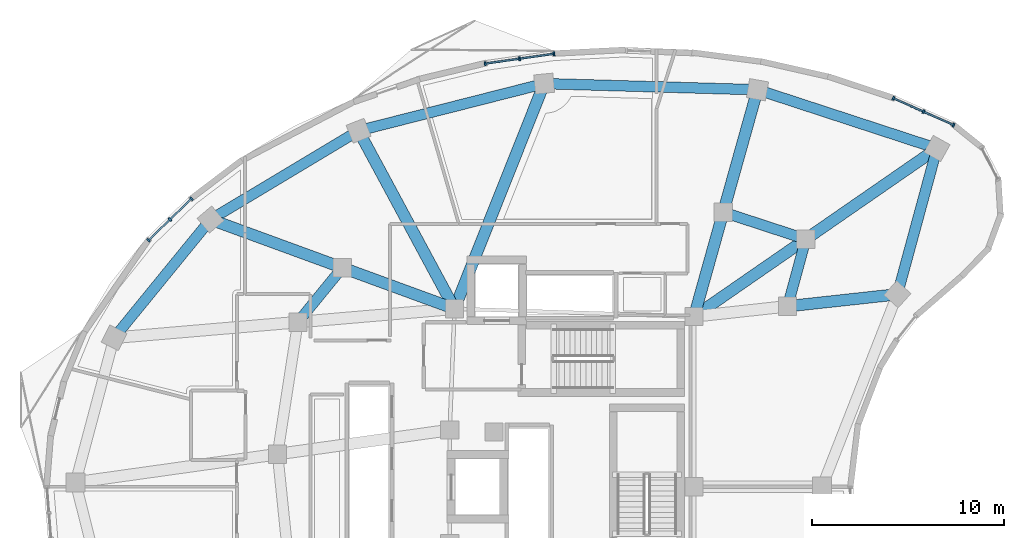
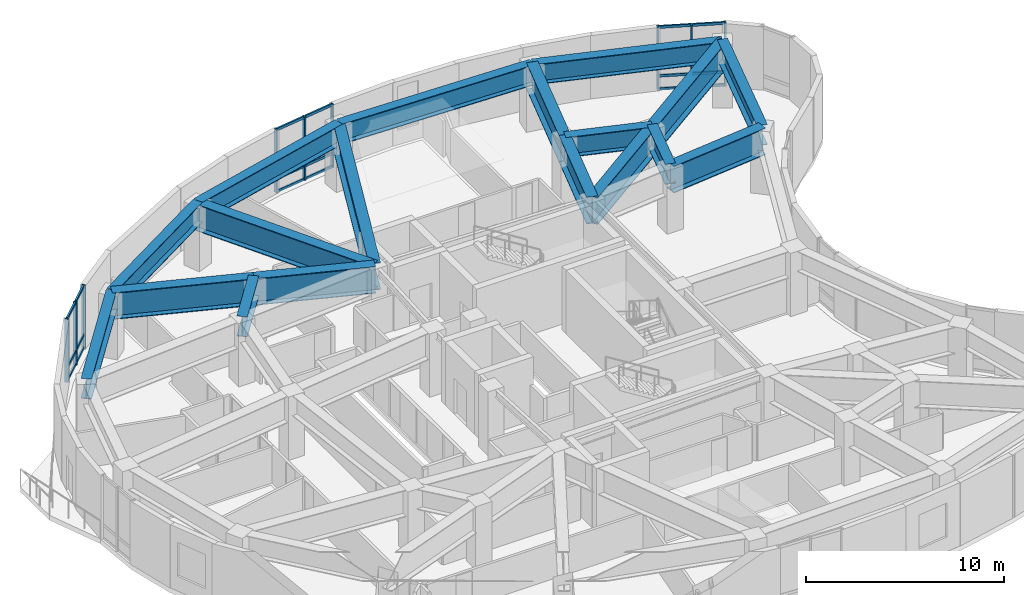
# One storey, part 5 of 14: 27 members, 18 beams, 3 elements without a shape of their own.
"""IFC4 building model written with IfcOpenShell, lengths in metres."""

from ifc_helpers import new_model, si_unit, direction, frame, origin, origin_2d, place, context, subcontext, project, spatial, rectangle, i_section, extrude, material, layer, layer_set, material_profile, profile_set, type_object, element, aggregate, save


model = new_model("IFC4")

# Units and contexts
model_context = context("Model", 3, precision=1e-05, world=origin(), true_north=direction((0.0, 1.0)))
body_context = subcontext(model_context, "Body", "Model", "MODEL_VIEW")
ifc_project = project(units=[si_unit("LENGTHUNIT", "METRE"), si_unit("AREAUNIT", "SQUARE_METRE"), si_unit("VOLUMEUNIT", "CUBIC_METRE"), si_unit("PLANEANGLEUNIT", "RADIAN"), si_unit("MASSUNIT", "GRAM", prefix="KILO")], contexts=[model_context])

# Site, building, storey
site_placement = place(None, origin())
site = spatial("IfcSite", under=ifc_project, at=site_placement, CompositionType="ELEMENT")
building_placement = place(site_placement, origin())
building = spatial("IfcBuilding", under=site, at=building_placement, Name="Korentha Bioscience Tower", CompositionType="ELEMENT")
storey_placement = place(building_placement, frame((0.0, 0.0, 239.39990234375)))
storey = spatial("IfcBuildingStorey", under=building, at=storey_placement, Name="L55", CompositionType="ELEMENT", Elevation=239.39990234375)

# Beams
ifc_material_1 = material(Name="Steel S355", Category="steel")
ifc_material_profile_1 = material_profile(ifc_material_1, i_section(OverallWidth=0.550048828125, OverallDepth=1.25, WebThickness=0.02392578125, FlangeThickness=0.0400390625, at=origin_2d()), Name="Steel S355")
ifc_profile_set_1 = profile_set([ifc_material_profile_1], Name="Steel S355 (TG-03)")
beam_type_1 = type_object("IfcBeamType", Name="Crown Step Transfer Girder CVS 1250x510", PredefinedType="USERDEFINED", material=ifc_profile_set_1)
beam_1_placement = place(storey_placement, frame((43.357666015625, 39.8662109375, 3.275146484375), z_axis=(-0.950447398506, 0.310885417274, 0.0), x_axis=(-0.310885417274, -0.950447398506, 0.0)))
element("IfcBeam", 1, at=beam_1_placement, inside=storey, type_object=beam_type_1, Name="L55 Mid-Ring Tie Girder 01", ObjectType="TRANSFER_GIRDER", PredefinedType="USERDEFINED", context=body_context, shape_type="SweptSolid", body=[
    extrude(i_section(OverallWidth=0.550048828125, OverallDepth=1.25, WebThickness=0.02392578125, FlangeThickness=0.0400390625, at=origin_2d()), origin(), (0.0, 0.0, 1.0), 4.5146484375),
])
beam_2_placement = place(storey_placement, frame((19.268310546875, 38.3837890625, 3.275146484375), z_axis=(-0.632275728894, -0.774743443116, 0.0), x_axis=(0.774743443116, -0.632275728894, 0.0)))
element("IfcBeam", 2, at=beam_2_placement, inside=storey, type_object=beam_type_1, Name="L55 Mid-Ring Tie Girder 05", ObjectType="TRANSFER_GIRDER", PredefinedType="USERDEFINED", context=body_context, shape_type="SweptSolid", body=[
    extrude(i_section(OverallWidth=0.550048828125, OverallDepth=1.25, WebThickness=0.02392578125, FlangeThickness=0.0400390625, at=origin_2d()), origin(), (0.0, 0.0, 1.0), 3.650146484375),
])
beam_3_placement = place(storey_placement, frame((42.41064453125, 36.379638671875, 3.275146484375), z_axis=(0.262122358011, 0.965034646752, 0.0), x_axis=(-0.965034646752, 0.262122358011, 0.0)))
element("IfcBeam", 3, at=beam_3_placement, inside=storey, type_object=beam_type_1, Name="L55 Mid-Ring Tie Girder 16", ObjectType="TRANSFER_GIRDER", PredefinedType="USERDEFINED", context=body_context, shape_type="SweptSolid", body=[
    extrude(i_section(OverallWidth=0.550048828125, OverallDepth=1.25, WebThickness=0.02392578125, FlangeThickness=0.0400390625, at=origin_2d()), origin(), (0.0, 0.0, 1.0), 3.61279296875),
])
beam_4_placement = place(storey_placement, frame((50.175537109375, 44.580810546875, 3.275146484375), z_axis=(-0.950449256032, 0.310879738338, 0.0), x_axis=(-0.310879738338, -0.950449256032, 0.0)))
element("IfcBeam", 4, at=beam_4_placement, inside=storey, type_object=beam_type_1, Name="L55 Perimeter Spandrel Girder 01", ObjectType="TRANSFER_GIRDER", PredefinedType="USERDEFINED", context=body_context, shape_type="SweptSolid", body=[
    extrude(i_section(OverallWidth=0.550048828125, OverallDepth=1.25, WebThickness=0.02392578125, FlangeThickness=0.0400390625, at=origin_2d()), origin(), (0.0, 0.0, 1.0), 9.81494140625),
])
beam_5_placement = place(storey_placement, frame((40.846923828125, 47.632080078125, 3.275146484375), z_axis=(-0.999586140554, 0.028767127286, 0.0), x_axis=(-0.028767127286, -0.999586140554, 0.0)))
element("IfcBeam", 5, at=beam_5_placement, inside=storey, type_object=beam_type_1, Name="L55 Perimeter Spandrel Girder 02", ObjectType="TRANSFER_GIRDER", PredefinedType="USERDEFINED", context=body_context, shape_type="SweptSolid", body=[
    extrude(i_section(OverallWidth=0.550048828125, OverallDepth=1.25, WebThickness=0.02392578125, FlangeThickness=0.0400390625, at=origin_2d()), origin(), (0.0, 0.0, 1.0), 11.09228515625),
])
beam_6_placement = place(storey_placement, frame((29.75927734375, 47.951171875, 3.275146484375), z_axis=(-0.969197317616, -0.246285524395, 0.0), x_axis=(0.246285524395, -0.969197317616, 0.0)))
element("IfcBeam", 6, at=beam_6_placement, inside=storey, type_object=beam_type_1, Name="L55 Perimeter Spandrel Girder 03", ObjectType="TRANSFER_GIRDER", PredefinedType="USERDEFINED", context=body_context, shape_type="SweptSolid", body=[
    extrude(i_section(OverallWidth=0.550048828125, OverallDepth=1.25, WebThickness=0.02392578125, FlangeThickness=0.0400390625, at=origin_2d()), origin(), (0.0, 0.0, 1.0), 9.95263671875),
])
beam_7_placement = place(storey_placement, frame((20.11328125, 45.5, 3.275146484375), z_axis=(-0.857644232791, -0.514243492872, 0.0), x_axis=(0.514243492872, -0.857644232791, 0.0)))
element("IfcBeam", 7, at=beam_7_placement, inside=storey, type_object=beam_type_1, Name="L55 Perimeter Spandrel Girder 04", ObjectType="TRANSFER_GIRDER", PredefinedType="USERDEFINED", context=body_context, shape_type="SweptSolid", body=[
    extrude(i_section(OverallWidth=0.550048828125, OverallDepth=1.25, WebThickness=0.02392578125, FlangeThickness=0.0400390625, at=origin_2d()), origin(), (0.0, 0.0, 1.0), 8.96728515625),
])
beam_8_placement = place(storey_placement, frame((12.422607421875, 40.888671875, 3.275146484375), z_axis=(-0.632315820697, -0.774710722074, 0.0), x_axis=(0.774710722074, -0.632315820697, 0.0)))
element("IfcBeam", 8, at=beam_8_placement, inside=storey, type_object=beam_type_1, Name="L55 Perimeter Spandrel Girder 05", ObjectType="TRANSFER_GIRDER", PredefinedType="USERDEFINED", context=body_context, shape_type="SweptSolid", body=[
    extrude(i_section(OverallWidth=0.550048828125, OverallDepth=1.25, WebThickness=0.02392578125, FlangeThickness=0.0400390625, at=origin_2d()), origin(), (0.0, 0.0, 1.0), 7.934814453125),
])
beam_9_placement = place(storey_placement, frame((48.116455078125, 37.001220703125, 3.275146484375), z_axis=(0.26215989838, 0.965024449266, 0.0), x_axis=(-0.965024449266, 0.26215989838, 0.0)))
element("IfcBeam", 9, at=beam_9_placement, inside=storey, type_object=beam_type_1, Name="L55 Perimeter Spandrel Girder 16", ObjectType="TRANSFER_GIRDER", PredefinedType="USERDEFINED", context=body_context, shape_type="SweptSolid", body=[
    extrude(i_section(OverallWidth=0.550048828125, OverallDepth=1.25, WebThickness=0.02392578125, FlangeThickness=0.0400390625, at=origin_2d()), origin(), (0.0, 0.0, 1.0), 7.854248046875),
])
ifc_material_profile_2 = material_profile(ifc_material_1, i_section(OverallWidth=0.60009765625, OverallDepth=1.64990234375, WebThickness=0.02587890625, FlangeThickness=0.0439453125, at=origin_2d()), Name="Steel S355")
ifc_profile_set_2 = profile_set([ifc_material_profile_2], Name="Steel S355 (TG-04)")
beam_type_2 = type_object("IfcBeamType", Name="Deep Setback Transfer Girder CVS 1650x620", PredefinedType="USERDEFINED", material=ifc_profile_set_2)
beam_10_placement = place(storey_placement, frame((37.550048828125, 35.85009765625, 3.0751953125), z_axis=(0.822493302413, 0.568774795052, 0.0), x_axis=(-0.568774795052, 0.822493302413, 0.0)))
element("IfcBeam", 10, at=beam_10_placement, inside=storey, type_object=beam_type_2, Name="L55 Inner Radial Transfer Girder 01", ObjectType="TRANSFER_GIRDER", PredefinedType="USERDEFINED", context=body_context, shape_type="SweptSolid", body=[
    extrude(i_section(OverallWidth=0.60009765625, OverallDepth=1.64990234375, WebThickness=0.02587890625, FlangeThickness=0.0439453125, at=origin_2d()), origin(), (0.0, 0.0, 1.0), 7.06103515625),
])
beam_11_placement = place(storey_placement, frame((43.357666015625, 39.8662109375, 3.0751953125), z_axis=(0.82250061903, 0.568764214499, 0.0), x_axis=(-0.568764214499, 0.82250061903, 0.0)))
element("IfcBeam", 11, at=beam_11_placement, inside=storey, type_object=beam_type_2, Name="L55 Outer Radial Transfer Girder 01", ObjectType="TRANSFER_GIRDER", PredefinedType="USERDEFINED", context=body_context, shape_type="SweptSolid", body=[
    extrude(i_section(OverallWidth=0.60009765625, OverallDepth=1.64990234375, WebThickness=0.02587890625, FlangeThickness=0.0439453125, at=origin_2d()), origin(), (0.0, 0.0, 1.0), 8.289306640625),
])
beam_12_placement = place(storey_placement, frame((37.550048828125, 35.85009765625, 3.0751953125), z_axis=(0.269480278508, 0.963005908339, 0.0), x_axis=(-0.963005908339, 0.269480278508, 0.0)))
element("IfcBeam", 12, at=beam_12_placement, inside=storey, type_object=beam_type_2, Name="L55 Inner Radial Transfer Girder 02", ObjectType="TRANSFER_GIRDER", PredefinedType="USERDEFINED", context=body_context, shape_type="SweptSolid", body=[
    extrude(i_section(OverallWidth=0.60009765625, OverallDepth=1.64990234375, WebThickness=0.02587890625, FlangeThickness=0.0439453125, at=origin_2d()), origin(), (0.0, 0.0, 1.0), 5.6279296875),
])
beam_13_placement = place(storey_placement, frame((39.066650390625, 41.269775390625, 3.0751953125), z_axis=(0.269465439817, 0.963010060562, 0.0), x_axis=(-0.963010060562, 0.269465439817, 0.0)))
element("IfcBeam", 13, at=beam_13_placement, inside=storey, type_object=beam_type_2, Name="L55 Outer Radial Transfer Girder 02", ObjectType="TRANSFER_GIRDER", PredefinedType="USERDEFINED", context=body_context, shape_type="SweptSolid", body=[
    extrude(i_section(OverallWidth=0.60009765625, OverallDepth=1.64990234375, WebThickness=0.02587890625, FlangeThickness=0.0439453125, at=origin_2d()), origin(), (0.0, 0.0, 1.0), 6.606689453125),
])
beam_14_placement = place(storey_placement, frame((25.10009765625, 36.25, 3.0751953125), z_axis=(0.369933042289, 0.929058418089, 0.0), x_axis=(-0.929058418089, 0.369933042289, 0.0)))
element("IfcBeam", 14, at=beam_14_placement, inside=storey, type_object=beam_type_2, Name="L55 Radial Transfer Girder 03", ObjectType="TRANSFER_GIRDER", PredefinedType="USERDEFINED", context=body_context, shape_type="SweptSolid", body=[
    extrude(i_section(OverallWidth=0.60009765625, OverallDepth=1.64990234375, WebThickness=0.02587890625, FlangeThickness=0.0439453125, at=origin_2d()), origin(), (0.0, 0.0, 1.0), 12.5947265625),
])
beam_15_placement = place(storey_placement, frame((25.10009765625, 36.25, 3.0751953125), z_axis=(-0.474545867703, 0.880230776243, 0.0), x_axis=(-0.880230776243, -0.474545867703, 0.0)))
element("IfcBeam", 15, at=beam_15_placement, inside=storey, type_object=beam_type_2, Name="L55 Radial Transfer Girder 04", ObjectType="TRANSFER_GIRDER", PredefinedType="USERDEFINED", context=body_context, shape_type="SweptSolid", body=[
    extrude(i_section(OverallWidth=0.60009765625, OverallDepth=1.64990234375, WebThickness=0.02587890625, FlangeThickness=0.0439453125, at=origin_2d()), origin(), (0.0, 0.0, 1.0), 10.508544921875),
])
beam_16_placement = place(storey_placement, frame((25.10009765625, 36.25, 3.0751953125), z_axis=(-0.939112022558, 0.343611130622, 0.0), x_axis=(-0.343611130622, -0.939112022558, 0.0)))
element("IfcBeam", 16, at=beam_16_placement, inside=storey, type_object=beam_type_2, Name="L55 Inner Radial Transfer Girder 05", ObjectType="TRANSFER_GIRDER", PredefinedType="USERDEFINED", context=body_context, shape_type="SweptSolid", body=[
    extrude(i_section(OverallWidth=0.60009765625, OverallDepth=1.64990234375, WebThickness=0.02587890625, FlangeThickness=0.0439453125, at=origin_2d()), origin(), (0.0, 0.0, 1.0), 6.2099609375),
])
beam_17_placement = place(storey_placement, frame((19.268310546875, 38.3837890625, 3.0751953125), z_axis=(-0.939107036581, 0.343624757322, 0.0), x_axis=(-0.343624757322, -0.939107036581, 0.0)))
element("IfcBeam", 17, at=beam_17_placement, inside=storey, type_object=beam_type_2, Name="L55 Outer Radial Transfer Girder 05", ObjectType="TRANSFER_GIRDER", PredefinedType="USERDEFINED", context=body_context, shape_type="SweptSolid", body=[
    extrude(i_section(OverallWidth=0.60009765625, OverallDepth=1.64990234375, WebThickness=0.02587890625, FlangeThickness=0.0439453125, at=origin_2d()), origin(), (0.0, 0.0, 1.0), 7.28955078125),
])
beam_18_placement = place(storey_placement, frame((42.41064453125, 36.379638671875, 3.0751953125), z_axis=(0.994118507308, 0.108297707398, 0.0), x_axis=(-0.108297707398, 0.994118507308, 0.0)))
element("IfcBeam", 18, at=beam_18_placement, inside=storey, type_object=beam_type_2, Name="L55 Outer Radial Transfer Girder 16", ObjectType="TRANSFER_GIRDER", PredefinedType="USERDEFINED", context=body_context, shape_type="SweptSolid", body=[
    extrude(i_section(OverallWidth=0.60009765625, OverallDepth=1.64990234375, WebThickness=0.02587890625, FlangeThickness=0.0439453125, at=origin_2d()), origin(), (0.0, 0.0, 1.0), 5.739501953125),
])

# Curtain wall, members
ifc_material_2 = material(Name="Thermally Broken Aluminium Frame", Category="aluminium")
ifc_layer = layer(ifc_material_2, 0.219970703125, Name="Thermally Broken Aluminium Frame")
ifc_layer_set = layer_set([ifc_layer], Name="Thermally Broken Aluminium Frame (CW-T1)")
curtain_wall_type = type_object("IfcCurtainWallType", Name="Standard Bioscience Lab Unitised Curtain Wall CW-T1", PredefinedType="USERDEFINED", material=ifc_layer_set)
curtain_wall_1_placement = place(storey_placement, origin())
curtain_wall_1 = element("IfcCurtainWall", 19, at=curtain_wall_1_placement, inside=storey, type_object=curtain_wall_type, Name="L55 Curtain Wall 01", ObjectType="UNITISED", PredefinedType="USERDEFINED")
ifc_material_3 = material(Name="Anodised Aluminium 6063-T6", Category="aluminium")
ifc_material_profile_3 = material_profile(ifc_material_3, rectangle(XDim=0.090087890625, YDim=0.199951171875, at=origin_2d()), Name="Anodised Aluminium 6063-T6")
ifc_profile_set_3 = profile_set([ifc_material_profile_3], Name="Anodised Aluminium 6063-T6 (CW-MUL)")
member_type_1 = type_object("IfcMemberType", Name="Mullion RECT 90x200", PredefinedType="MULLION", material=ifc_profile_set_3)
member_1_placement = place(storey_placement, frame((51.038818359375, 45.795166015625, 0.0), z_axis=(0.0, 0.0, 1.0), x_axis=(-0.913943941578, 0.405840450983, 0.0)))
member_1 = element("IfcMember", 20, at=member_1_placement, type_object=member_type_1, Name="CW-L55-01 Mullion 1", PredefinedType="MULLION", context=body_context, shape_type="SweptSolid", body=[
    extrude(rectangle(XDim=0.090087890625, YDim=0.199951171875, at=origin_2d()), origin(), (0.0, 0.0, 1.0), 3.900146484375),
])
member_2_placement = place(storey_placement, frame((49.471923828125, 46.49072265625, 0.0), z_axis=(0.0, 0.0, 1.0), x_axis=(-0.913943941578, 0.405840450983, 0.0)))
member_2 = element("IfcMember", 21, at=member_2_placement, type_object=member_type_1, Name="CW-L55-01 Mullion 2", PredefinedType="MULLION", context=body_context, shape_type="SweptSolid", body=[
    extrude(rectangle(XDim=0.090087890625, YDim=0.199951171875, at=origin_2d()), origin(), (0.0, 0.0, 1.0), 3.900146484375),
])
member_3_placement = place(storey_placement, frame((47.9052734375, 47.186279296875, 0.0), z_axis=(0.0, 0.0, 1.0), x_axis=(-0.913943941578, 0.405840450983, 0.0)))
member_3 = element("IfcMember", 22, at=member_3_placement, type_object=member_type_1, Name="CW-L55-01 Mullion 3", PredefinedType="MULLION", context=body_context, shape_type="SweptSolid", body=[
    extrude(rectangle(XDim=0.090087890625, YDim=0.199951171875, at=origin_2d()), origin(), (0.0, 0.0, 1.0), 3.900146484375),
])

curtain_wall_2_placement = place(storey_placement, origin())
curtain_wall_2 = element("IfcCurtainWall", 23, at=curtain_wall_2_placement, inside=storey, type_object=curtain_wall_type, Name="L55 Curtain Wall 07", ObjectType="UNITISED", PredefinedType="USERDEFINED")
member_4_placement = place(storey_placement, frame((30.267578125, 49.498779296875, 0.0), z_axis=(0.0, 0.0, 1.0), x_axis=(-0.989901889134, -0.141754188259, 0.0)))
member_4 = element("IfcMember", 24, at=member_4_placement, type_object=member_type_1, Name="CW-L55-07 Mullion 1", PredefinedType="MULLION", context=body_context, shape_type="SweptSolid", body=[
    extrude(rectangle(XDim=0.090087890625, YDim=0.199951171875, at=origin_2d()), origin(), (0.0, 0.0, 1.0), 3.900146484375),
])
member_5_placement = place(storey_placement, frame((28.47998046875, 49.242919921875, 0.0), z_axis=(0.0, 0.0, 1.0), x_axis=(-0.989901889134, -0.141754188259, 0.0)))
member_5 = element("IfcMember", 25, at=member_5_placement, type_object=member_type_1, Name="CW-L55-07 Mullion 2", PredefinedType="MULLION", context=body_context, shape_type="SweptSolid", body=[
    extrude(rectangle(XDim=0.090087890625, YDim=0.199951171875, at=origin_2d()), origin(), (0.0, 0.0, 1.0), 3.900146484375),
])
member_6_placement = place(storey_placement, frame((26.6923828125, 48.98681640625, 0.0), z_axis=(0.0, 0.0, 1.0), x_axis=(-0.989901889134, -0.141754188259, 0.0)))
member_6 = element("IfcMember", 26, at=member_6_placement, type_object=member_type_1, Name="CW-L55-07 Mullion 3", PredefinedType="MULLION", context=body_context, shape_type="SweptSolid", body=[
    extrude(rectangle(XDim=0.090087890625, YDim=0.199951171875, at=origin_2d()), origin(), (0.0, 0.0, 1.0), 3.900146484375),
])

curtain_wall_3_placement = place(storey_placement, origin())
curtain_wall_3 = element("IfcCurtainWall", 27, at=curtain_wall_3_placement, inside=storey, type_object=curtain_wall_type, Name="L55 Curtain Wall 13", ObjectType="UNITISED", PredefinedType="USERDEFINED")
member_7_placement = place(storey_placement, frame((11.43017578125, 41.968994140625, 0.0), z_axis=(0.0, 0.0, 1.0), x_axis=(-0.719000359175, -0.695009700297, 0.0)))
member_7 = element("IfcMember", 28, at=member_7_placement, type_object=member_type_1, Name="CW-L55-13 Mullion 1", PredefinedType="MULLION", context=body_context, shape_type="SweptSolid", body=[
    extrude(rectangle(XDim=0.090087890625, YDim=0.199951171875, at=origin_2d()), origin(), (0.0, 0.0, 1.0), 3.900146484375),
])
member_8_placement = place(storey_placement, frame((10.313232421875, 40.889404296875, 0.0), z_axis=(0.0, 0.0, 1.0), x_axis=(-0.719000359175, -0.695009700297, 0.0)))
member_8 = element("IfcMember", 29, at=member_8_placement, type_object=member_type_1, Name="CW-L55-13 Mullion 2", PredefinedType="MULLION", context=body_context, shape_type="SweptSolid", body=[
    extrude(rectangle(XDim=0.090087890625, YDim=0.199951171875, at=origin_2d()), origin(), (0.0, 0.0, 1.0), 3.900146484375),
])
member_9_placement = place(storey_placement, frame((9.1962890625, 39.809814453125, 0.0), z_axis=(0.0, 0.0, 1.0), x_axis=(-0.719000359175, -0.695009700297, 0.0)))
member_9 = element("IfcMember", 30, at=member_9_placement, type_object=member_type_1, Name="CW-L55-13 Mullion 3", PredefinedType="MULLION", context=body_context, shape_type="SweptSolid", body=[
    extrude(rectangle(XDim=0.090087890625, YDim=0.199951171875, at=origin_2d()), origin(), (0.0, 0.0, 1.0), 3.900146484375),
])

# Member
ifc_material_profile_4 = material_profile(ifc_material_3, rectangle(XDim=0.090087890625, YDim=0.159912109375, at=origin_2d()), Name="Anodised Aluminium 6063-T6")
ifc_profile_set_4 = profile_set([ifc_material_profile_4], Name="Anodised Aluminium 6063-T6 (CW-TRN)")
member_type_2 = type_object("IfcMemberType", Name="Transom RECT 90x160", PredefinedType="USERDEFINED", material=ifc_profile_set_4)
member_10_placement = place(storey_placement, frame((50.99755859375, 45.813232421875, 0.045166015625), z_axis=(-0.913935479932, 0.405859505891, 0.0), x_axis=(-0.405859505891, -0.913935479932, 0.0)))
member_10 = element("IfcMember", 31, at=member_10_placement, type_object=member_type_2, Name="CW-L55-01 Bay 1 Transom 1", ObjectType="TRANSOM", PredefinedType="USERDEFINED", context=body_context, shape_type="SweptSolid", body=[
    extrude(rectangle(XDim=0.090087890625, YDim=0.159912109375, at=origin_2d()), origin(), (0.0, 0.0, 1.0), 1.624267578125),
])

member_11_placement = place(storey_placement, frame((50.99755859375, 45.813232421875, 0.85009765625), z_axis=(-0.913935479932, 0.405859505891, 0.0), x_axis=(-0.405859505891, -0.913935479932, 0.0)))
member_11 = element("IfcMember", 32, at=member_11_placement, type_object=member_type_2, Name="CW-L55-01 Bay 1 Transom 2", ObjectType="TRANSOM", PredefinedType="USERDEFINED", context=body_context, shape_type="SweptSolid", body=[
    extrude(rectangle(XDim=0.090087890625, YDim=0.159912109375, at=origin_2d()), origin(), (0.0, 0.0, 1.0), 1.624267578125),
])

member_12_placement = place(storey_placement, frame((50.99755859375, 45.813232421875, 3.85498046875), z_axis=(-0.913935479932, 0.405859505891, 0.0), x_axis=(-0.405859505891, -0.913935479932, 0.0)))
member_12 = element("IfcMember", 33, at=member_12_placement, type_object=member_type_2, Name="CW-L55-01 Bay 1 Transom 3", ObjectType="TRANSOM", PredefinedType="USERDEFINED", context=body_context, shape_type="SweptSolid", body=[
    extrude(rectangle(XDim=0.090087890625, YDim=0.159912109375, at=origin_2d()), origin(), (0.0, 0.0, 1.0), 1.624267578125),
])

member_13_placement = place(storey_placement, frame((49.430908203125, 46.509033203125, 0.045166015625), z_axis=(-0.913935479932, 0.405859505891, 0.0), x_axis=(-0.405859505891, -0.913935479932, 0.0)))
member_13 = element("IfcMember", 34, at=member_13_placement, type_object=member_type_2, Name="CW-L55-01 Bay 2 Transom 1", ObjectType="TRANSOM", PredefinedType="USERDEFINED", context=body_context, shape_type="SweptSolid", body=[
    extrude(rectangle(XDim=0.090087890625, YDim=0.159912109375, at=origin_2d()), origin(), (0.0, 0.0, 1.0), 1.624267578125),
])

member_14_placement = place(storey_placement, frame((49.430908203125, 46.509033203125, 0.85009765625), z_axis=(-0.913935479932, 0.405859505891, 0.0), x_axis=(-0.405859505891, -0.913935479932, 0.0)))
member_14 = element("IfcMember", 35, at=member_14_placement, type_object=member_type_2, Name="CW-L55-01 Bay 2 Transom 2", ObjectType="TRANSOM", PredefinedType="USERDEFINED", context=body_context, shape_type="SweptSolid", body=[
    extrude(rectangle(XDim=0.090087890625, YDim=0.159912109375, at=origin_2d()), origin(), (0.0, 0.0, 1.0), 1.624267578125),
])

member_15_placement = place(storey_placement, frame((49.430908203125, 46.509033203125, 3.85498046875), z_axis=(-0.913935479932, 0.405859505891, 0.0), x_axis=(-0.405859505891, -0.913935479932, 0.0)))
member_15 = element("IfcMember", 36, at=member_15_placement, type_object=member_type_2, Name="CW-L55-01 Bay 2 Transom 3", ObjectType="TRANSOM", PredefinedType="USERDEFINED", context=body_context, shape_type="SweptSolid", body=[
    extrude(rectangle(XDim=0.090087890625, YDim=0.159912109375, at=origin_2d()), origin(), (0.0, 0.0, 1.0), 1.624267578125),
])

aggregate(curtain_wall_1, [member_1, member_2, member_3, member_10, member_11, member_12, member_13, member_14, member_15])

member_16_placement = place(storey_placement, frame((30.222900390625, 49.492431640625, 0.045166015625), z_axis=(-0.989906761771, -0.141720157356, 0.0), x_axis=(0.141720157356, -0.989906761771, 0.0)))
member_16 = element("IfcMember", 37, at=member_16_placement, type_object=member_type_2, Name="CW-L55-07 Bay 1 Transom 1", ObjectType="TRANSOM", PredefinedType="USERDEFINED", context=body_context, shape_type="SweptSolid", body=[
    extrude(rectangle(XDim=0.090087890625, YDim=0.159912109375, at=origin_2d()), origin(), (0.0, 0.0, 1.0), 1.7158203125),
])

member_17_placement = place(storey_placement, frame((30.222900390625, 49.492431640625, 0.85009765625), z_axis=(-0.989906761771, -0.141720157356, 0.0), x_axis=(0.141720157356, -0.989906761771, 0.0)))
member_17 = element("IfcMember", 38, at=member_17_placement, type_object=member_type_2, Name="CW-L55-07 Bay 1 Transom 2", ObjectType="TRANSOM", PredefinedType="USERDEFINED", context=body_context, shape_type="SweptSolid", body=[
    extrude(rectangle(XDim=0.090087890625, YDim=0.159912109375, at=origin_2d()), origin(), (0.0, 0.0, 1.0), 1.7158203125),
])

member_18_placement = place(storey_placement, frame((30.222900390625, 49.492431640625, 3.85498046875), z_axis=(-0.989906761771, -0.141720157356, 0.0), x_axis=(0.141720157356, -0.989906761771, 0.0)))
member_18 = element("IfcMember", 39, at=member_18_placement, type_object=member_type_2, Name="CW-L55-07 Bay 1 Transom 3", ObjectType="TRANSOM", PredefinedType="USERDEFINED", context=body_context, shape_type="SweptSolid", body=[
    extrude(rectangle(XDim=0.090087890625, YDim=0.159912109375, at=origin_2d()), origin(), (0.0, 0.0, 1.0), 1.7158203125),
])

member_19_placement = place(storey_placement, frame((28.435302734375, 49.236572265625, 0.045166015625), z_axis=(-0.989903903342, -0.14174012187, 0.0), x_axis=(0.14174012187, -0.989903903342, 0.0)))
member_19 = element("IfcMember", 40, at=member_19_placement, type_object=member_type_2, Name="CW-L55-07 Bay 2 Transom 1", ObjectType="TRANSOM", PredefinedType="USERDEFINED", context=body_context, shape_type="SweptSolid", body=[
    extrude(rectangle(XDim=0.090087890625, YDim=0.159912109375, at=origin_2d()), origin(), (0.0, 0.0, 1.0), 1.715576171875),
])

member_20_placement = place(storey_placement, frame((28.435302734375, 49.236572265625, 0.85009765625), z_axis=(-0.989903903342, -0.14174012187, 0.0), x_axis=(0.14174012187, -0.989903903342, 0.0)))
member_20 = element("IfcMember", 41, at=member_20_placement, type_object=member_type_2, Name="CW-L55-07 Bay 2 Transom 2", ObjectType="TRANSOM", PredefinedType="USERDEFINED", context=body_context, shape_type="SweptSolid", body=[
    extrude(rectangle(XDim=0.090087890625, YDim=0.159912109375, at=origin_2d()), origin(), (0.0, 0.0, 1.0), 1.715576171875),
])

member_21_placement = place(storey_placement, frame((28.435302734375, 49.236572265625, 3.85498046875), z_axis=(-0.989903903342, -0.14174012187, 0.0), x_axis=(0.14174012187, -0.989903903342, 0.0)))
member_21 = element("IfcMember", 42, at=member_21_placement, type_object=member_type_2, Name="CW-L55-07 Bay 2 Transom 3", ObjectType="TRANSOM", PredefinedType="USERDEFINED", context=body_context, shape_type="SweptSolid", body=[
    extrude(rectangle(XDim=0.090087890625, YDim=0.159912109375, at=origin_2d()), origin(), (0.0, 0.0, 1.0), 1.715576171875),
])

aggregate(curtain_wall_2, [member_4, member_5, member_6, member_16, member_17, member_18, member_19, member_20, member_21])

member_22_placement = place(storey_placement, frame((11.397705078125, 41.937744140625, 0.045166015625), z_axis=(-0.719016163687, -0.694993349865, 0.0), x_axis=(0.694993349865, -0.719016163687, 0.0)))
member_22 = element("IfcMember", 43, at=member_22_placement, type_object=member_type_2, Name="CW-L55-13 Bay 1 Transom 1", ObjectType="TRANSOM", PredefinedType="USERDEFINED", context=body_context, shape_type="SweptSolid", body=[
    extrude(rectangle(XDim=0.090087890625, YDim=0.159912109375, at=origin_2d()), origin(), (0.0, 0.0, 1.0), 1.46337890625),
])

member_23_placement = place(storey_placement, frame((11.397705078125, 41.937744140625, 0.85009765625), z_axis=(-0.719016163687, -0.694993349865, 0.0), x_axis=(0.694993349865, -0.719016163687, 0.0)))
member_23 = element("IfcMember", 44, at=member_23_placement, type_object=member_type_2, Name="CW-L55-13 Bay 1 Transom 2", ObjectType="TRANSOM", PredefinedType="USERDEFINED", context=body_context, shape_type="SweptSolid", body=[
    extrude(rectangle(XDim=0.090087890625, YDim=0.159912109375, at=origin_2d()), origin(), (0.0, 0.0, 1.0), 1.46337890625),
])

member_24_placement = place(storey_placement, frame((11.397705078125, 41.937744140625, 3.85498046875), z_axis=(-0.719016163687, -0.694993349865, 0.0), x_axis=(0.694993349865, -0.719016163687, 0.0)))
member_24 = element("IfcMember", 45, at=member_24_placement, type_object=member_type_2, Name="CW-L55-13 Bay 1 Transom 3", ObjectType="TRANSOM", PredefinedType="USERDEFINED", context=body_context, shape_type="SweptSolid", body=[
    extrude(rectangle(XDim=0.090087890625, YDim=0.159912109375, at=origin_2d()), origin(), (0.0, 0.0, 1.0), 1.46337890625),
])

member_25_placement = place(storey_placement, frame((10.28076171875, 40.858154296875, 0.045166015625), z_axis=(-0.719016163687, -0.694993349865, 0.0), x_axis=(0.694993349865, -0.719016163687, 0.0)))
member_25 = element("IfcMember", 46, at=member_25_placement, type_object=member_type_2, Name="CW-L55-13 Bay 2 Transom 1", ObjectType="TRANSOM", PredefinedType="USERDEFINED", context=body_context, shape_type="SweptSolid", body=[
    extrude(rectangle(XDim=0.090087890625, YDim=0.159912109375, at=origin_2d()), origin(), (0.0, 0.0, 1.0), 1.46337890625),
])

member_26_placement = place(storey_placement, frame((10.28076171875, 40.858154296875, 0.85009765625), z_axis=(-0.719016163687, -0.694993349865, 0.0), x_axis=(0.694993349865, -0.719016163687, 0.0)))
member_26 = element("IfcMember", 47, at=member_26_placement, type_object=member_type_2, Name="CW-L55-13 Bay 2 Transom 2", ObjectType="TRANSOM", PredefinedType="USERDEFINED", context=body_context, shape_type="SweptSolid", body=[
    extrude(rectangle(XDim=0.090087890625, YDim=0.159912109375, at=origin_2d()), origin(), (0.0, 0.0, 1.0), 1.46337890625),
])

member_27_placement = place(storey_placement, frame((10.28076171875, 40.858154296875, 3.85498046875), z_axis=(-0.719016163687, -0.694993349865, 0.0), x_axis=(0.694993349865, -0.719016163687, 0.0)))
member_27 = element("IfcMember", 48, at=member_27_placement, type_object=member_type_2, Name="CW-L55-13 Bay 2 Transom 3", ObjectType="TRANSOM", PredefinedType="USERDEFINED", context=body_context, shape_type="SweptSolid", body=[
    extrude(rectangle(XDim=0.090087890625, YDim=0.159912109375, at=origin_2d()), origin(), (0.0, 0.0, 1.0), 1.46337890625),
])

aggregate(curtain_wall_3, [member_7, member_8, member_9, member_22, member_23, member_24, member_25, member_26, member_27])

save(model, "model.ifc")
